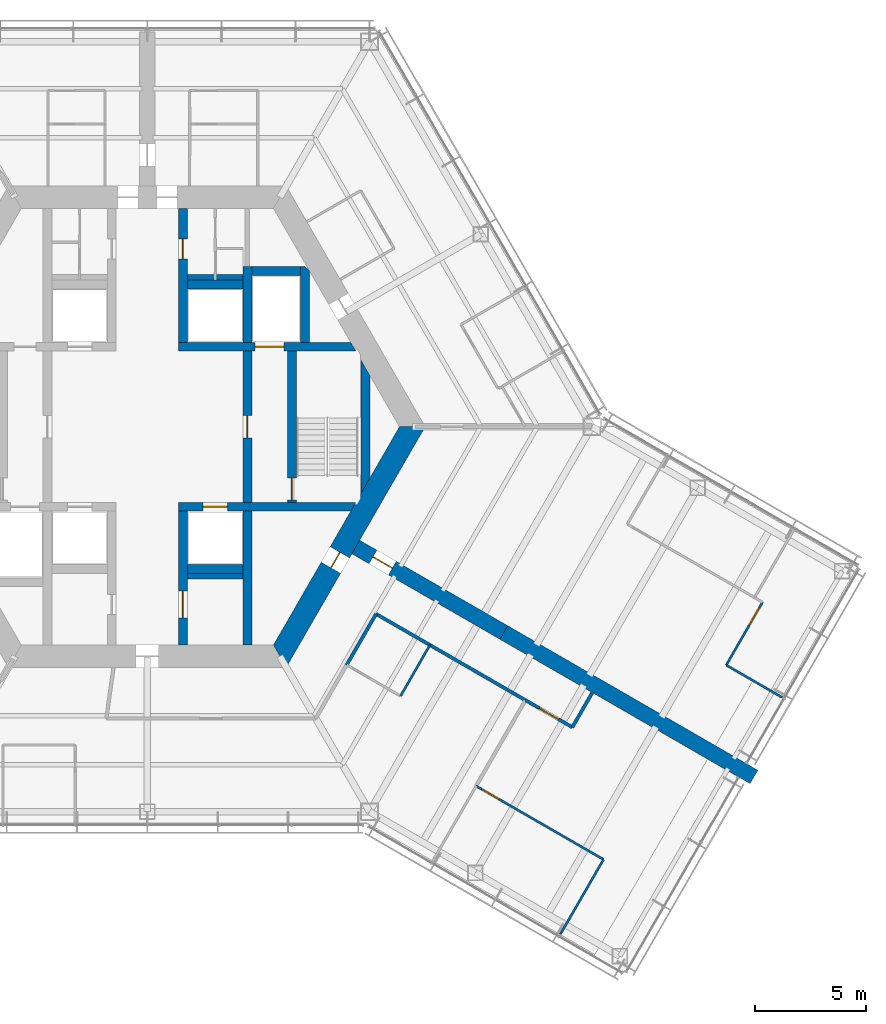
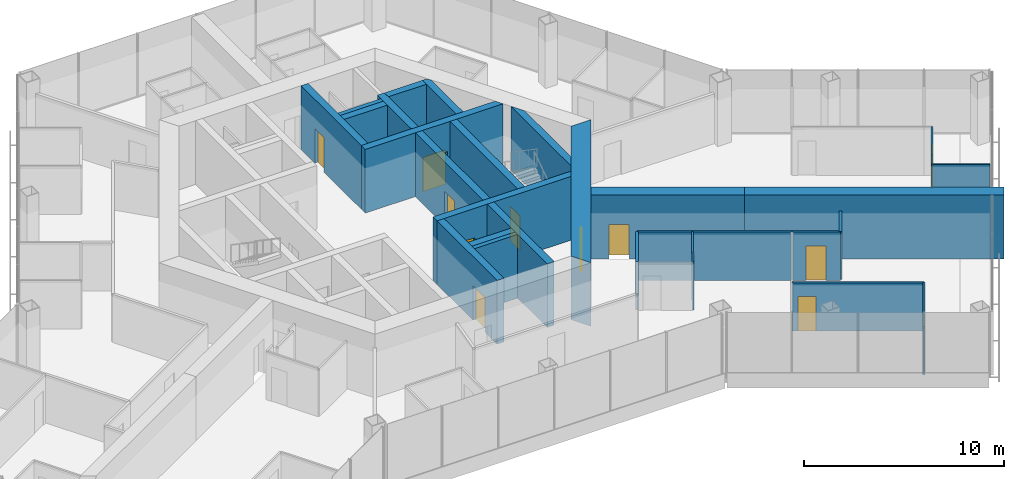
# One storey, part 13 of 18: 28 walls, 11 doors, 11 openings.
"""IFC4 building model written with IfcOpenShell, lengths in metres."""

from ifc_helpers import new_model, si_unit, direction, frame, frame_2d, origin, place, context, subcontext, project, spatial, polyline, rectangle, outline, extrude, material, layer, layer_set, type_object, element, fill, save


model = new_model("IFC4")

# Units and contexts
model_context = context("Model", 3, precision=1e-05, world=origin(), true_north=direction((0.0, 1.0)))
body_context = subcontext(model_context, "Body", "Model", "MODEL_VIEW")
ifc_project = project(units=[si_unit("LENGTHUNIT", "METRE"), si_unit("AREAUNIT", "SQUARE_METRE"), si_unit("VOLUMEUNIT", "CUBIC_METRE"), si_unit("PLANEANGLEUNIT", "RADIAN"), si_unit("MASSUNIT", "GRAM", prefix="KILO")], contexts=[model_context])

# Site, building, storey
site_placement = place(None, origin())
site = spatial("IfcSite", under=ifc_project, at=site_placement, CompositionType="ELEMENT")
building_placement = place(site_placement, origin())
building = spatial("IfcBuilding", under=site, at=building_placement, Name="Kasaneha Research Tower", CompositionType="ELEMENT")
storey_placement = place(building_placement, frame((0.0, 0.0, 140.89990234375)))
storey = spatial("IfcBuildingStorey", under=building, at=storey_placement, Name="L35", CompositionType="ELEMENT", Elevation=140.89990234375)

# Wall, opening, door
ifc_material_1 = material(Name="Concrete Fc70", Category="concrete")
ifc_layer_1 = layer(ifc_material_1, 0.39990234375)
ifc_layer_set_1 = layer_set([ifc_layer_1], Name="Core internal wall 400 Fc70")
wall_type_1 = type_object("IfcWallType", Name="Core internal wall 400 Fc70", PredefinedType="SHEAR", material=ifc_layer_set_1)
wall_1_placement = place(storey_placement, frame((1.39990234375, 3.60009765625, 0.0), z_axis=(0.0, 0.0, 1.0), x_axis=(1.0, 0.0, 0.0)))
wall_1 = element("IfcWall", 1, at=wall_1_placement, inside=storey, type_object=wall_type_1, Name="Core wall W1E L35", PredefinedType="SHEAR", context=body_context, shape_type="SweptSolid", body=[
    extrude(outline(polyline([(0.0, -0.199951171875), (3.449951171875, -0.199951171875), (4.75, -0.199951171875), (7.98193359375, -0.199951171875), (7.7509765625, 0.199951171875), (4.75, 0.199951171875), (3.449951171875, 0.199951171875), (0.0, 0.199951171875), (0.0, -0.199951171875)])), origin(), (0.0, 0.0, 1.0), 3.900146484375),
])
opening_1_placement = place(wall_1_placement, frame((3.449951171875, 0.0, 0.0)))
opening_1 = element("IfcOpeningElement", 2, at=opening_1_placement, cuts=wall_1, Name="Opening LD-FL1-L35", PredefinedType="OPENING", context=body_context, shape_type="SweptSolid", body=[
    extrude(rectangle(XDim=1.300048828125, YDim=2.10009765625, at=frame_2d((0.64990234375, 1.050048828125))), frame((0.0, 0.2099609375, 0.0), z_axis=(0.0, -1.0, 0.0), x_axis=(1.0, 0.0, 0.0)), (0.0, 0.0, 1.0), 0.419921875),
])
ifc_material_2 = material(Name="Steel", Category="steel")
door_type_1 = type_object("IfcDoorType", Name="Lift landing door 1300x2100", OperationType="DOUBLE_DOOR_SLIDING", PredefinedType="DOOR", material=ifc_material_2)
door_1_placement = place(opening_1_placement, origin())
door_1 = element("IfcDoor", 3, at=door_1_placement, inside=storey, type_object=door_type_1, Name="Landing door FL1 LD-FL1-L35", OperationType="DOUBLE_DOOR_SLIDING", OverallHeight=2.10009765625, OverallWidth=1.300048828125, PredefinedType="DOOR", context=body_context, shape_type="SweptSolid", body=[
    extrude(rectangle(XDim=1.300048828125, YDim=2.10009765625, at=frame_2d((0.64990234375, 1.050048828125))), frame((0.0, 0.02490234375, 0.0), z_axis=(0.0, -1.0, 0.0), x_axis=(1.0, 0.0, 0.0)), (0.0, 0.0, 1.0), 0.050048828125),
])
fill(opening_1, door_1)

wall_2_placement = place(storey_placement, frame((1.39990234375, -3.60009765625, 0.0), z_axis=(0.0, 0.0, 1.0), x_axis=(1.0, 0.0, 0.0)))
wall_2 = element("IfcWall", 4, at=wall_2_placement, inside=storey, type_object=wall_type_1, Name="Core wall W2E L35", PredefinedType="SHEAR", context=body_context, shape_type="SweptSolid", body=[
    extrude(outline(polyline([(0.0, -0.199951171875), (1.10009765625, -0.199951171875), (2.2001953125, -0.199951171875), (7.7509765625, -0.199951171875), (7.98193359375, 0.199951171875), (2.2001953125, 0.199951171875), (1.10009765625, 0.199951171875), (0.0, 0.199951171875), (0.0, -0.199951171875)])), origin(), (0.0, 0.0, 1.0), 3.900146484375),
])
opening_2_placement = place(wall_2_placement, frame((1.10009765625, 0.0, 0.0)))
opening_2 = element("IfcOpeningElement", 5, at=opening_2_placement, cuts=wall_2, Name="Opening LD-LM2-L35", PredefinedType="OPENING", context=body_context, shape_type="SweptSolid", body=[
    extrude(rectangle(XDim=1.10009765625, YDim=2.10009765625, at=frame_2d((0.550048828125, 1.050048828125))), frame((0.0, 0.2099609375, 0.0), z_axis=(0.0, -1.0, 0.0), x_axis=(1.0, 0.0, 0.0)), (0.0, 0.0, 1.0), 0.419921875),
])
ifc_material_3 = material(Name="Steel", Category="steel")
door_type_2 = type_object("IfcDoorType", Name="Lift landing door 1100x2100", OperationType="DOUBLE_DOOR_SLIDING", PredefinedType="DOOR", material=ifc_material_3)
door_2_placement = place(opening_2_placement, origin())
door_2 = element("IfcDoor", 6, at=door_2_placement, inside=storey, type_object=door_type_2, Name="Landing door LM2 LD-LM2-L35", OperationType="DOUBLE_DOOR_SLIDING", OverallHeight=2.10009765625, OverallWidth=1.10009765625, PredefinedType="DOOR", context=body_context, shape_type="SweptSolid", body=[
    extrude(rectangle(XDim=1.10009765625, YDim=2.10009765625, at=frame_2d((0.550048828125, 1.050048828125))), frame((0.0, 0.02490234375, 0.0), z_axis=(0.0, -1.0, 0.0), x_axis=(1.0, 0.0, 0.0)), (0.0, 0.0, 1.0), 0.050048828125),
])
fill(opening_2, door_2)

wall_3_placement = place(storey_placement, frame((1.60009765625, 3.800048828125, 0.0), z_axis=(0.0, 0.0, 1.0), x_axis=(0.0, 1.0, 0.0)))
wall_3 = element("IfcWall", 7, at=wall_3_placement, inside=storey, type_object=wall_type_1, Name="Core wall CNE L35", PredefinedType="SHEAR", context=body_context, shape_type="SweptSolid", body=[
    extrude(rectangle(XDim=6.02490234375, YDim=0.39990234375, at=frame_2d((3.012451171875, 0.0))), origin(), (0.0, 0.0, 1.0), 3.900146484375),
])
opening_3_placement = place(wall_3_placement, frame((3.75, 0.0, 0.0)))
opening_3 = element("IfcOpeningElement", 8, at=opening_3_placement, cuts=wall_3, Name="Opening L35-D14", PredefinedType="OPENING", context=body_context, shape_type="SweptSolid", body=[
    extrude(rectangle(XDim=0.89990234375, YDim=2.10009765625, at=frame_2d((0.449951171875, 1.050048828125))), frame((0.0, 0.2099609375, 0.0), z_axis=(0.0, -1.0, 0.0), x_axis=(1.0, 0.0, 0.0)), (0.0, 0.0, 1.0), 0.419921875),
])
ifc_material_4 = material(Name="Steel", Category="steel")
door_type_3 = type_object("IfcDoorType", Name="Toilet door FD20 900x2100", OperationType="NOTDEFINED", PredefinedType="DOOR", material=ifc_material_4)
door_3_placement = place(opening_3_placement, origin())
door_3 = element("IfcDoor", 9, at=door_3_placement, inside=storey, type_object=door_type_3, Name="Women's WC door L35-D14", OperationType="SINGLE_SWING_LEFT", OverallHeight=2.10009765625, OverallWidth=0.89990234375, PredefinedType="DOOR", context=body_context, shape_type="SweptSolid", body=[
    extrude(rectangle(XDim=0.89990234375, YDim=2.10009765625, at=frame_2d((0.449951171875, 1.050048828125))), frame((0.0, 0.02490234375, 0.0), z_axis=(0.0, -1.0, 0.0), x_axis=(1.0, 0.0, 0.0)), (0.0, 0.0, 1.0), 0.050048828125),
])
fill(opening_3, door_3)

wall_4_placement = place(storey_placement, frame((1.60009765625, -3.800048828125, 0.0), z_axis=(0.0, 0.0, 1.0), x_axis=(0.0, -1.0, 0.0)))
wall_4 = element("IfcWall", 10, at=wall_4_placement, inside=storey, type_object=wall_type_1, Name="Core wall CSE L35", PredefinedType="SHEAR", context=body_context, shape_type="SweptSolid", body=[
    extrude(rectangle(XDim=6.02490234375, YDim=0.39990234375, at=frame_2d((3.012451171875, 0.0))), origin(), (0.0, 0.0, 1.0), 3.900146484375),
])
opening_4_placement = place(wall_4_placement, frame((3.60009765625, 0.0, 0.0)))
opening_4 = element("IfcOpeningElement", 11, at=opening_4_placement, cuts=wall_4, Name="Opening L35-D15", PredefinedType="OPENING", context=body_context, shape_type="SweptSolid", body=[
    extrude(rectangle(XDim=1.199951171875, YDim=2.10009765625, at=frame_2d((0.60009765625, 1.050048828125))), frame((0.0, 0.2099609375, 0.0), z_axis=(0.0, -1.0, 0.0), x_axis=(1.0, 0.0, 0.0)), (0.0, 0.0, 1.0), 0.419921875),
])
ifc_material_5 = material(Name="Steel", Category="steel")
door_type_4 = type_object("IfcDoorType", Name="Accessible toilet sliding door FD20 1200x2100", OperationType="SLIDING_TO_LEFT", PredefinedType="DOOR", material=ifc_material_5)
door_4_placement = place(opening_4_placement, origin())
door_4 = element("IfcDoor", 12, at=door_4_placement, inside=storey, type_object=door_type_4, Name="Accessible WC door L35-D15", OperationType="SLIDING_TO_LEFT", OverallHeight=2.10009765625, OverallWidth=1.199951171875, PredefinedType="DOOR", context=body_context, shape_type="SweptSolid", body=[
    extrude(rectangle(XDim=1.199951171875, YDim=2.10009765625, at=frame_2d((0.60009765625, 1.050048828125))), frame((0.0, 0.02490234375, 0.0), z_axis=(0.0, -1.0, 0.0), x_axis=(1.0, 0.0, 0.0)), (0.0, 0.0, 1.0), 0.050048828125),
])
fill(opening_4, door_4)

wall_5_placement = place(storey_placement, frame((4.5, -3.39990234375, 0.0), z_axis=(0.0, 0.0, 1.0), x_axis=(0.0, 1.0, 0.0)))
wall_5 = element("IfcWall", 13, at=wall_5_placement, inside=storey, type_object=wall_type_1, Name="Core wall LBE L35", PredefinedType="SHEAR", context=body_context, shape_type="SweptSolid", body=[
    extrude(rectangle(XDim=6.7998046875, YDim=0.39990234375, at=frame_2d((3.39990234375, 0.0))), origin(), (0.0, 0.0, 1.0), 3.900146484375),
])
opening_5_placement = place(wall_5_placement, frame((2.89990234375, 0.0, 0.0)))
opening_5 = element("IfcOpeningElement", 14, at=opening_5_placement, cuts=wall_5, Name="Opening L35-D08", PredefinedType="OPENING", context=body_context, shape_type="SweptSolid", body=[
    extrude(rectangle(XDim=1.0, YDim=2.10009765625, at=frame_2d((0.5, 1.050048828125))), frame((0.0, 0.2099609375, 0.0), z_axis=(0.0, -1.0, 0.0), x_axis=(1.0, 0.0, 0.0)), (0.0, 0.0, 1.0), 0.419921875),
])
ifc_material_6 = material(Name="Steel", Category="steel")
door_type_5 = type_object("IfcDoorType", Name="Specified fire door FD60 1000x2100", OperationType="NOTDEFINED", PredefinedType="DOOR", material=ifc_material_6)
door_5_placement = place(opening_5_placement, origin())
door_5 = element("IfcDoor", 15, at=door_5_placement, inside=storey, type_object=door_type_5, Name="Lift lobby door east L35-D08", OperationType="SINGLE_SWING_LEFT", OverallHeight=2.10009765625, OverallWidth=1.0, PredefinedType="DOOR", context=body_context, shape_type="SweptSolid", body=[
    extrude(rectangle(XDim=1.0, YDim=2.10009765625, at=frame_2d((0.5, 1.050048828125))), frame((0.0, 0.02490234375, 0.0), z_axis=(0.0, -1.0, 0.0), x_axis=(1.0, 0.0, 0.0)), (0.0, 0.0, 1.0), 0.050048828125),
])
fill(opening_5, door_5)

wall_6_placement = place(storey_placement, frame((6.5, -3.39990234375, 0.0), z_axis=(0.0, 0.0, 1.0), x_axis=(0.0, 1.0, 0.0)))
wall_6 = element("IfcWall", 16, at=wall_6_placement, inside=storey, type_object=wall_type_1, Name="Core wall ANE L35", PredefinedType="SHEAR", context=body_context, shape_type="SweptSolid", body=[
    extrude(rectangle(XDim=6.7998046875, YDim=0.39990234375, at=frame_2d((3.39990234375, 0.0))), origin(), (0.0, 0.0, 1.0), 3.900146484375),
])
opening_6_placement = place(wall_6_placement, frame((0.10009765625, 0.0, 0.0)))
opening_6 = element("IfcOpeningElement", 17, at=opening_6_placement, cuts=wall_6, Name="Opening L35-D10", PredefinedType="OPENING", context=body_context, shape_type="SweptSolid", body=[
    extrude(rectangle(XDim=1.0, YDim=2.10009765625, at=frame_2d((0.5, 1.050048828125))), frame((0.0, 0.2099609375, 0.0), z_axis=(0.0, -1.0, 0.0), x_axis=(1.0, 0.0, 0.0)), (0.0, 0.0, 1.0), 0.419921875),
])
door_6_placement = place(opening_6_placement, origin())
door_6 = element("IfcDoor", 18, at=door_6_placement, inside=storey, type_object=door_type_5, Name="Stair 1 door L35-D10", OperationType="SINGLE_SWING_LEFT", OverallHeight=2.10009765625, OverallWidth=1.0, PredefinedType="DOOR", context=body_context, shape_type="SweptSolid", body=[
    extrude(rectangle(XDim=1.0, YDim=2.10009765625, at=frame_2d((0.5, 1.050048828125))), frame((0.0, 0.02490234375, 0.0), z_axis=(0.0, -1.0, 0.0), x_axis=(1.0, 0.0, 0.0)), (0.0, 0.0, 1.0), 0.050048828125),
])
fill(opening_6, door_6)

# Walls
wall_7_placement = place(storey_placement, frame((4.5, 3.800048828125, 0.0), z_axis=(0.0, 0.0, 1.0), x_axis=(0.0, 1.0, 0.0)))
element("IfcWall", 19, at=wall_7_placement, inside=storey, type_object=wall_type_1, Name="Core wall FNE L35", PredefinedType="SHEAR", context=body_context, shape_type="SweptSolid", body=[
    extrude(rectangle(XDim=3.39990234375, YDim=0.39990234375, at=frame_2d((1.699951171875, 0.0))), origin(), (0.0, 0.0, 1.0), 3.900146484375),
])
wall_8_placement = place(storey_placement, frame((4.5, -3.800048828125, 0.0), z_axis=(0.0, 0.0, 1.0), x_axis=(0.0, -1.0, 0.0)))
element("IfcWall", 20, at=wall_8_placement, inside=storey, type_object=wall_type_1, Name="Core wall SSE L35", PredefinedType="SHEAR", context=body_context, shape_type="SweptSolid", body=[
    extrude(rectangle(XDim=6.02490234375, YDim=0.39990234375, at=frame_2d((3.012451171875, 0.0))), origin(), (0.0, 0.0, 1.0), 3.900146484375),
])
for number, where, z_axis, x_axis, name in (
    (21, (1.800048828125, 6.39990234375, 0.0), (0.0, 0.0, 1.0), (1.0, 0.0, 0.0), "Core wall N3N L35"),
    (22, (1.800048828125, -6.39990234375, 0.0), (0.0, 0.0, 1.0), (1.0, 0.0, 0.0), "Core wall S3S L35"),
):
    element("IfcWall", number, at=place(storey_placement, frame(where, z_axis=z_axis, x_axis=x_axis)), inside=storey, type_object=wall_type_1, Name=name, PredefinedType="SHEAR", context=body_context, shape_type="SweptSolid", body=[
        extrude(rectangle(XDim=2.5, YDim=0.39990234375, at=frame_2d((1.25, 0.0))), origin(), (0.0, 0.0, 1.0), 3.900146484375),
    ])
wall_9_placement = place(storey_placement, frame((4.699951171875, 7.0, 0.0), z_axis=(0.0, 0.0, 1.0), x_axis=(1.0, 0.0, 0.0)))
element("IfcWall", 23, at=wall_9_placement, inside=storey, type_object=wall_type_1, Name="Core wall F1N L35", PredefinedType="SHEAR", context=body_context, shape_type="SweptSolid", body=[
    extrude(rectangle(XDim=2.199951171875, YDim=0.39990234375, at=frame_2d((1.10009765625, 0.0))), origin(), (0.0, 0.0, 1.0), 3.900146484375),
])
wall_10_placement = place(storey_placement, frame((7.10009765625, 3.800048828125, 0.0), z_axis=(0.0, 0.0, 1.0), x_axis=(0.0, 1.0, 0.0)))
element("IfcWall", 24, at=wall_10_placement, inside=storey, type_object=wall_type_1, Name="Core wall F1E L35", PredefinedType="SHEAR", context=body_context, shape_type="SweptSolid", body=[
    extrude(outline(polyline([(0.0, -0.199951171875), (3.205810546875, -0.199951171875), (3.39990234375, 0.0), (3.39990234375, 0.199951171875), (0.0, 0.199951171875), (0.0, -0.199951171875)])), origin(), (0.0, 0.0, 1.0), 3.900146484375),
])
wall_11_placement = place(storey_placement, frame((9.807861328125, -2.662353515625, 0.0), z_axis=(0.0, 0.0, 1.0), x_axis=(0.0, 1.0, 0.0)))
element("IfcWall", 25, at=wall_11_placement, inside=storey, type_object=wall_type_1, Name="Core wall STE L35", PredefinedType="SHEAR", context=body_context, shape_type="SweptSolid", body=[
    extrude(outline(polyline([(0.346435546875, -0.199951171875), (4.978271484375, -0.199951171875), (5.671142578125, 0.199951171875), (-0.346435546875, 0.199951171875), (0.346435546875, -0.199951171875)])), origin(), (0.0, 0.0, 1.0), 3.900146484375),
])

# Wall, opening, door
ifc_material_7 = material(Name="Concrete Fc70", Category="concrete")
ifc_layer_2 = layer(ifc_material_7, 1.0)
ifc_layer_set_2 = layer_set([ifc_layer_2], Name="Core wall 1000 Fc70")
wall_type_2 = type_object("IfcWallType", Name="Core wall 1000 Fc70", PredefinedType="SHEAR", material=ifc_layer_set_2)
wall_12_placement = place(storey_placement, frame((5.961181640625, -10.324951171875, 0.0), z_axis=(0.0, 0.0, 1.0), x_axis=(0.500004296715, 0.866022923061, 0.0)))
wall_12 = element("IfcWall", 26, at=wall_12_placement, inside=storey, type_object=wall_type_2, Name="Core wall 330 L35", PredefinedType="SHEAR", context=body_context, shape_type="SweptSolid", body=[
    extrude(outline(polyline([(-0.28857421875, -0.5), (4.593994140625, -0.5), (5.39404296875, -0.5), (12.2109375, -0.5), (11.6337890625, 0.5), (5.39404296875, 0.5), (4.593994140625, 0.5), (0.28857421875, 0.5), (-0.28857421875, -0.5)])), origin(), (0.0, 0.0, 1.0), 3.900146484375),
])
opening_7_placement = place(wall_12_placement, frame((4.593994140625, 0.0, 0.0)))
opening_7 = element("IfcOpeningElement", 27, at=opening_7_placement, cuts=wall_12, Name="Opening L35-D05", PredefinedType="OPENING", context=body_context, shape_type="SweptSolid", body=[
    extrude(rectangle(XDim=0.800048828125, YDim=2.10009765625, at=frame_2d((0.39990234375, 1.050048828125))), frame((0.0, 0.510009765625, 0.0), z_axis=(0.0, -1.0, 0.0), x_axis=(1.0, 0.0, 0.0)), (0.0, 0.0, 1.0), 1.02001953125),
])
ifc_material_8 = material(Name="Steel", Category="steel")
door_type_6 = type_object("IfcDoorType", Name="Riser access door FD60 800x2100", OperationType="NOTDEFINED", PredefinedType="DOOR", material=ifc_material_8)
door_7_placement = place(opening_7_placement, origin())
door_7 = element("IfcDoor", 28, at=door_7_placement, inside=storey, type_object=door_type_6, Name="Pipe riser door L35-D05", OperationType="SINGLE_SWING_LEFT", OverallHeight=2.10009765625, OverallWidth=0.800048828125, PredefinedType="DOOR", context=body_context, shape_type="SweptSolid", body=[
    extrude(rectangle(XDim=0.800048828125, YDim=2.10009765625, at=frame_2d((0.39990234375, 1.050048828125))), frame((0.0, 0.02490234375, 0.0), z_axis=(0.0, -1.0, 0.0), x_axis=(1.0, 0.0, 0.0)), (0.0, 0.0, 1.0), 0.050048828125),
])
fill(opening_7, door_7)

ifc_material_9 = material(Name="Gypsum board on steel studs, one layer each side", Category="steel")
ifc_layer_3 = layer(ifc_material_9, 0.10009765625)
ifc_layer_set_3 = layer_set([ifc_layer_3], Name="Office partition 100")
wall_type_3 = type_object("IfcWallType", Name="Office partition 100", PredefinedType="PARTITIONING", material=ifc_layer_set_3)
wall_13_placement = place(storey_placement, frame((26.04638671875, -10.72705078125, 0.0), z_axis=(0.0, 0.0, 1.0), x_axis=(0.499765599164, 0.866160692881, 0.0)))
wall_13 = element("IfcWall", 29, at=wall_13_placement, inside=storey, type_object=wall_type_3, Name="Office partition FCE04 L35", PredefinedType="PARTITIONING", context=body_context, shape_type="SweptSolid", body=[
    extrude(rectangle(XDim=3.265625, YDim=0.10009765625, at=frame_2d((1.6328125, 0.0))), origin(), (0.0, 0.0, 1.0), 2.9501953125),
])
opening_8_placement = place(wall_13_placement, frame((2.065673828125, 0.0, 0.0)))
opening_8 = element("IfcOpeningElement", 30, at=opening_8_placement, cuts=wall_13, Name="Opening L35-D44", PredefinedType="OPENING", context=body_context, shape_type="SweptSolid", body=[
    extrude(rectangle(XDim=0.89990234375, YDim=2.10009765625, at=frame_2d((0.449951171875, 1.050048828125))), frame((0.0, 0.06005859375, 0.0), z_axis=(0.0, -1.0, 0.0), x_axis=(1.0, 0.0, 0.0)), (0.0, 0.0, 1.0), 0.1201171875),
])
ifc_material_10 = material(Name="Timber veneer", Category="wood")
door_type_7 = type_object("IfcDoorType", Name="Office door 900x2100", OperationType="SINGLE_SWING_LEFT", PredefinedType="DOOR", material=ifc_material_10)
door_8_placement = place(opening_8_placement, origin())
door_8 = element("IfcDoor", 31, at=door_8_placement, inside=storey, type_object=door_type_7, Name="Interview room door L35-D44", OperationType="SINGLE_SWING_RIGHT", OverallHeight=2.10009765625, OverallWidth=0.89990234375, PredefinedType="DOOR", context=body_context, shape_type="SweptSolid", body=[
    extrude(rectangle(XDim=0.89990234375, YDim=2.10009765625, at=frame_2d((0.449951171875, 1.050048828125))), frame((0.0, 0.02490234375, 0.0), z_axis=(0.0, -1.0, 0.0), x_axis=(1.0, 0.0, 0.0)), (0.0, 0.0, 1.0), 0.050048828125),
])
fill(opening_8, door_8)

# Walls
wall_14_placement = place(storey_placement, frame((28.5625, -12.1796875, 0.0), z_axis=(0.0, 0.0, 1.0), x_axis=(-0.866031657677, 0.499989167784, 0.0)))
element("IfcWall", 32, at=wall_14_placement, inside=storey, type_object=wall_type_3, Name="Office partition FCE06 L35", PredefinedType="PARTITIONING", context=body_context, shape_type="SweptSolid", body=[
    extrude(rectangle(XDim=2.9052734375, YDim=0.10009765625, at=frame_2d((1.45263671875, 0.0))), origin(), (0.0, 0.0, 1.0), 2.9501953125),
])
wall_15_placement = place(storey_placement, frame((12.712646484375, -9.822265625, 0.0), z_axis=(0.0, 0.0, 1.0), x_axis=(-0.49852824611, -0.866873455488, 0.0)))
element("IfcWall", 33, at=wall_15_placement, inside=storey, type_object=wall_type_3, Name="Office partition FCS10 L35", PredefinedType="PARTITIONING", context=body_context, shape_type="SweptSolid", body=[
    extrude(rectangle(XDim=2.64990234375, YDim=0.10009765625, at=frame_2d((1.324951171875, 0.0))), origin(), (0.0, 0.0, 1.0), 2.9501953125),
])

# Wall, opening, door
wall_16_placement = place(storey_placement, frame((14.7900390625, -16.165283203125, 0.0), z_axis=(0.0, 0.0, 1.0), x_axis=(0.866359914703, -0.499420161984, 0.0)))
wall_16 = element("IfcWall", 34, at=wall_16_placement, inside=storey, type_object=wall_type_3, Name="Office partition FCS15 L35", PredefinedType="PARTITIONING", context=body_context, shape_type="SweptSolid", body=[
    extrude(rectangle(XDim=6.619384765625, YDim=0.10009765625, at=frame_2d((3.3095703125, 0.0))), origin(), (0.0, 0.0, 1.0), 2.9501953125),
])
opening_9_placement = place(wall_16_placement, frame((0.300048828125, 0.0, 0.0)))
opening_9 = element("IfcOpeningElement", 35, at=opening_9_placement, cuts=wall_16, Name="Opening L35-D49", PredefinedType="OPENING", context=body_context, shape_type="SweptSolid", body=[
    extrude(rectangle(XDim=0.89990234375, YDim=2.10009765625, at=frame_2d((0.449951171875, 1.050048828125))), frame((0.0, 0.06005859375, 0.0), z_axis=(0.0, -1.0, 0.0), x_axis=(1.0, 0.0, 0.0)), (0.0, 0.0, 1.0), 0.1201171875),
])
door_9_placement = place(opening_9_placement, origin())
door_9 = element("IfcDoor", 36, at=door_9_placement, inside=storey, type_object=door_type_7, Name="Meeting room door L35-D49", OperationType="SINGLE_SWING_LEFT", OverallHeight=2.10009765625, OverallWidth=0.89990234375, PredefinedType="DOOR", context=body_context, shape_type="SweptSolid", body=[
    extrude(rectangle(XDim=0.89990234375, YDim=2.10009765625, at=frame_2d((0.449951171875, 1.050048828125))), frame((0.0, 0.02490234375, 0.0), z_axis=(0.0, -1.0, 0.0), x_axis=(1.0, 0.0, 0.0)), (0.0, 0.0, 1.0), 0.050048828125),
])
fill(opening_9, door_9)

# Wall
wall_17_placement = place(storey_placement, frame((20.52490234375, -19.47119140625, 0.0), z_axis=(0.0, 0.0, 1.0), x_axis=(-0.499996613652, -0.866027358884, 0.0)))
element("IfcWall", 37, at=wall_17_placement, inside=storey, type_object=wall_type_3, Name="Office partition FCS16 L35", PredefinedType="PARTITIONING", context=body_context, shape_type="SweptSolid", body=[
    extrude(rectangle(XDim=3.8798828125, YDim=0.10009765625, at=frame_2d((1.93994140625, 0.0))), origin(), (0.0, 0.0, 1.0), 2.9501953125),
])

# Wall, opening, door
ifc_material_11 = material(Name="Concrete Fc70", Category="concrete")
ifc_layer_4 = layer(ifc_material_11, 0.699951171875)
ifc_layer_set_4 = layer_set([ifc_layer_4], Name="Spine wall 700 Fc70")
wall_type_4 = type_object("IfcWallType", Name="Spine wall 700 Fc70", PredefinedType="SHEAR", material=ifc_layer_set_4)
wall_18_placement = place(storey_placement, frame((9.374755859375, -5.41259765625, 0.0), z_axis=(0.0, 0.0, 1.0), x_axis=(0.866032377459, -0.499987921047, 0.0)))
wall_18 = element("IfcWall", 38, at=wall_18_placement, inside=storey, type_object=wall_type_4, Name="Spine wall C L35", PredefinedType="SHEAR", context=body_context, shape_type="SweptSolid", body=[
    extrude(rectangle(XDim=7.695556640625, YDim=0.699951171875, at=frame_2d((3.84765625, 0.0))), origin(), (0.0, 0.0, 1.0), 3.900146484375),
])
opening_10_placement = place(wall_18_placement, frame((0.89990234375, 0.0, 0.0)))
opening_10 = element("IfcOpeningElement", 39, at=opening_10_placement, cuts=wall_18, Name="Opening L35-D19", PredefinedType="OPENING", context=body_context, shape_type="SweptSolid", body=[
    extrude(rectangle(XDim=1.0, YDim=2.10009765625, at=frame_2d((0.5, 1.050048828125))), frame((0.0, 0.35986328125, 0.0), z_axis=(0.0, -1.0, 0.0), x_axis=(1.0, 0.0, 0.0)), (0.0, 0.0, 1.0), 0.719970703125),
])
door_10_placement = place(opening_10_placement, origin())
door_10 = element("IfcDoor", 40, at=door_10_placement, inside=storey, type_object=door_type_5, Name="Spine doorway C L35-D19", OperationType="SINGLE_SWING_LEFT", OverallHeight=2.10009765625, OverallWidth=1.0, PredefinedType="DOOR", context=body_context, shape_type="SweptSolid", body=[
    extrude(rectangle(XDim=1.0, YDim=2.10009765625, at=frame_2d((0.5, 1.050048828125))), frame((0.0, 0.02490234375, 0.0), z_axis=(0.0, -1.0, 0.0), x_axis=(1.0, 0.0, 0.0)), (0.0, 0.0, 1.0), 0.050048828125),
])
fill(opening_10, door_10)

# Walls
wall_19_placement = place(storey_placement, frame((16.039306640625, -9.26025390625, 0.0), z_axis=(0.0, 0.0, 1.0), x_axis=(0.866024837091, -0.50000098154, 0.0)))
element("IfcWall", 41, at=wall_19_placement, inside=storey, type_object=wall_type_4, Name="Spine wall C wing L35", PredefinedType="SHEAR", context=body_context, shape_type="SweptSolid", body=[
    extrude(rectangle(XDim=13.0, YDim=0.699951171875, at=frame_2d((6.5, 0.0))), origin(), (0.0, 0.0, 1.0), 3.900146484375),
])
ifc_material_12 = material(Name="Gypsum board on steel studs, two layers each side", Category="steel")
ifc_layer_5 = layer(ifc_material_12, 0.14990234375)
ifc_layer_set_5 = layer_set([ifc_layer_5], Name="Suite partition 150")
wall_type_5 = type_object("IfcWallType", Name="Suite partition 150", PredefinedType="PARTITIONING", material=ifc_layer_set_5)
wall_20_placement = place(storey_placement, frame((10.29150390625, -8.424560546875, 0.0), z_axis=(0.0, 0.0, 1.0), x_axis=(-0.499966561876, -0.866044708433, 0.0)))
element("IfcWall", 42, at=wall_20_placement, inside=storey, type_object=wall_type_5, Name="Suite partition FCS01 L35", PredefinedType="PARTITIONING", context=body_context, shape_type="SweptSolid", body=[
    extrude(rectangle(XDim=2.655029296875, YDim=0.14990234375, at=frame_2d((1.32763671875, 0.0))), origin(), (0.0, 0.0, 1.0), 2.9501953125),
])
wall_21_placement = place(storey_placement, frame((12.720703125, -9.826904296875, 0.0), z_axis=(0.0, 0.0, 1.0), x_axis=(-0.866049342339, 0.499958534914, 0.0)))
element("IfcWall", 43, at=wall_21_placement, inside=storey, type_object=wall_type_5, Name="Suite partition FCS02 L35", PredefinedType="PARTITIONING", context=body_context, shape_type="SweptSolid", body=[
    extrude(rectangle(XDim=2.804931640625, YDim=0.14990234375, at=frame_2d((1.40234375, 0.0))), origin(), (0.0, 0.0, 1.0), 2.9501953125),
])
wall_22_placement = place(storey_placement, frame((17.021484375, -12.31005859375, 0.0), z_axis=(0.0, 0.0, 1.0), x_axis=(-0.866018071205, 0.500012700186, 0.0)))
element("IfcWall", 44, at=wall_22_placement, inside=storey, type_object=wall_type_5, Name="Suite partition FCS06 L35", PredefinedType="PARTITIONING", context=body_context, shape_type="SweptSolid", body=[
    extrude(rectangle(XDim=4.975341796875, YDim=0.14990234375, at=frame_2d((2.48779296875, 0.0))), origin(), (0.0, 0.0, 1.0), 2.9501953125),
])

# Wall, opening, door
wall_23_placement = place(storey_placement, frame((19.12109375, -13.522216796875, 0.0), z_axis=(0.0, 0.0, 1.0), x_axis=(-0.866000196749, 0.500043657324, 0.0)))
wall_23 = element("IfcWall", 45, at=wall_23_placement, inside=storey, type_object=wall_type_5, Name="Suite partition FCS07 L35", PredefinedType="PARTITIONING", context=body_context, shape_type="SweptSolid", body=[
    extrude(rectangle(XDim=2.434326171875, YDim=0.14990234375, at=frame_2d((1.21728515625, 0.0))), origin(), (0.0, 0.0, 1.0), 2.9501953125),
])
opening_11_placement = place(wall_23_placement, frame((0.71728515625, 0.0, 0.0)))
opening_11 = element("IfcOpeningElement", 46, at=opening_11_placement, cuts=wall_23, Name="Opening L35-D46", PredefinedType="OPENING", context=body_context, shape_type="SweptSolid", body=[
    extrude(rectangle(XDim=1.0, YDim=2.10009765625, at=frame_2d((0.5, 1.050048828125))), frame((0.0, 0.0849609375, 0.0), z_axis=(0.0, -1.0, 0.0), x_axis=(1.0, 0.0, 0.0)), (0.0, 0.0, 1.0), 0.169921875),
])
ifc_material_13 = material(Name="Steel", Category="steel")
door_type_8 = type_object("IfcDoorType", Name="Suite entrance door FD60 1000x2100", OperationType="NOTDEFINED", PredefinedType="DOOR", material=ifc_material_13)
door_11_placement = place(opening_11_placement, origin())
door_11 = element("IfcDoor", 47, at=door_11_placement, inside=storey, type_object=door_type_8, Name="Suite entrance door L35-D46", OperationType="SINGLE_SWING_LEFT", OverallHeight=2.10009765625, OverallWidth=1.0, PredefinedType="DOOR", context=body_context, shape_type="SweptSolid", body=[
    extrude(rectangle(XDim=1.0, YDim=2.10009765625, at=frame_2d((0.5, 1.050048828125))), frame((0.0, 0.02490234375, 0.0), z_axis=(0.0, -1.0, 0.0), x_axis=(1.0, 0.0, 0.0)), (0.0, 0.0, 1.0), 0.050048828125),
])
fill(opening_11, door_11)

# Walls
wall_24_placement = place(storey_placement, frame((20.01123046875, -11.980712890625, 0.0), z_axis=(0.0, 0.0, 1.0), x_axis=(-0.500062787734, -0.865989150234, 0.0)))
element("IfcWall", 48, at=wall_24_placement, inside=storey, type_object=wall_type_5, Name="Suite partition FCS08 L35", PredefinedType="PARTITIONING", context=body_context, shape_type="SweptSolid", body=[
    extrude(rectangle(XDim=1.780029296875, YDim=0.14990234375, at=frame_2d((0.89013671875, 0.0))), origin(), (0.0, 0.0, 1.0), 2.9501953125),
])
ifc_material_14 = material(Name="Concrete block lining", Category="concrete")
ifc_layer_6 = layer(ifc_material_14, 0.25)
ifc_layer_set_6 = layer_set([ifc_layer_6], Name="WC plumbing wall 250")
wall_type_6 = type_object("IfcWallType", Name="WC plumbing wall 250", PredefinedType="PLUMBINGWALL", material=ifc_layer_set_6)
for number, where, z_axis, x_axis, name in (
    (49, (1.800048828125, 6.72509765625, 0.0), (0.0, 0.0, 1.0), (1.0, 0.0, 0.0), "WC plumbing wall F L35"),
    (50, (1.800048828125, -6.72509765625, 0.0), (0.0, 0.0, 1.0), (1.0, 0.0, 0.0), "WC plumbing wall A L35"),
):
    element("IfcWall", number, at=place(storey_placement, frame(where, z_axis=z_axis, x_axis=x_axis)), inside=storey, type_object=wall_type_6, Name=name, PredefinedType="PLUMBINGWALL", context=body_context, shape_type="SweptSolid", body=[
        extrude(rectangle(XDim=2.5, YDim=0.25, at=frame_2d((1.25, 0.0))), origin(), (0.0, 0.0, 1.0), 3.900146484375),
    ])

save(model, "model.ifc")
